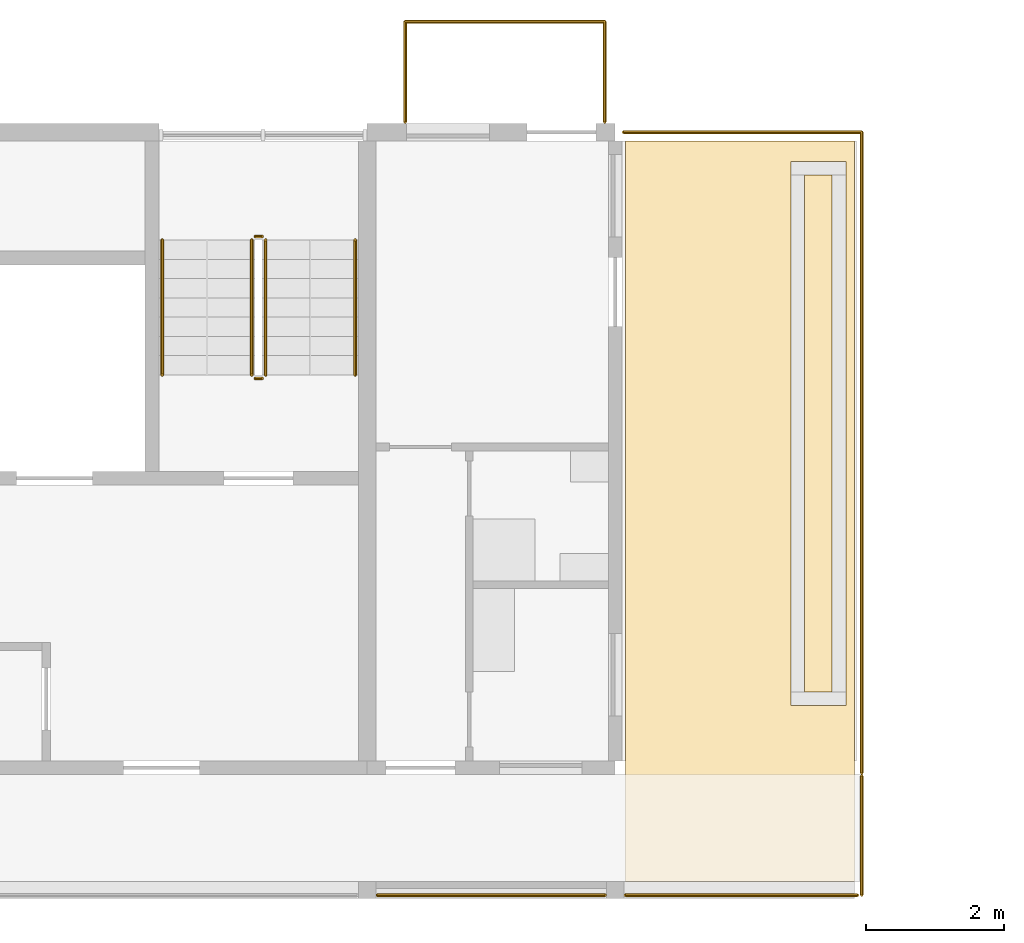
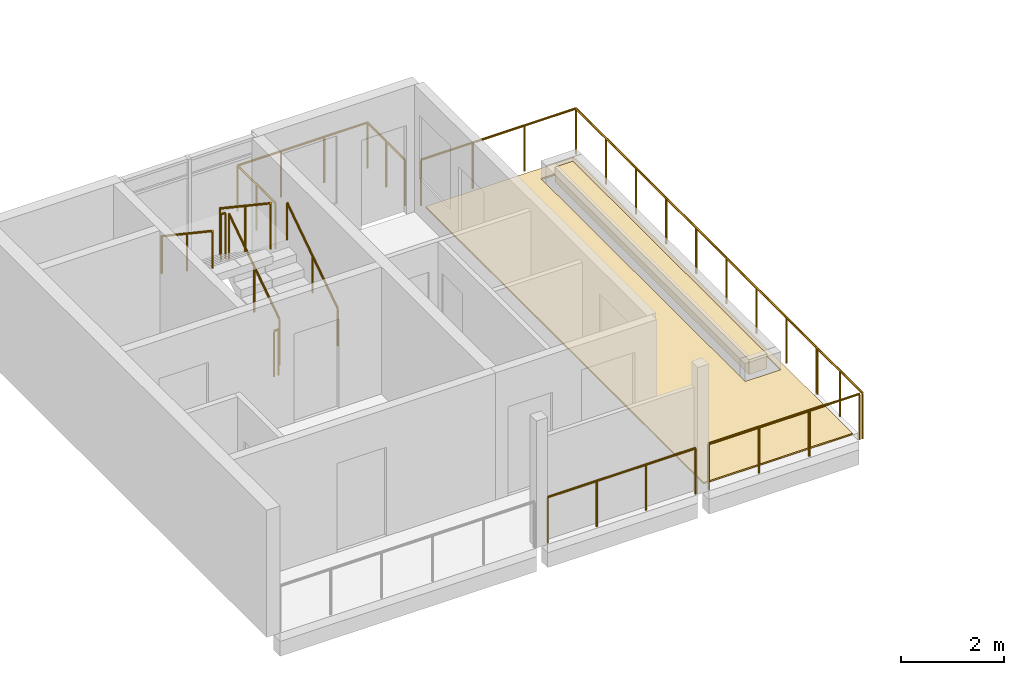
# One storey, part 30 of 33: 11 railings, 3 coverings.
"""IFC4 building model written with IfcOpenShell, lengths in metres."""

from ifc_helpers import new_model, si_unit, direction, frame, origin, origin_2d, place, context, subcontext, project, spatial, polyline, circle, outline, extrude, material, layer, layer_set, type_object, element, save


model = new_model("IFC4")

# Units and contexts
model_context = context("Model", 3, precision=1e-05, world=origin(), true_north=direction((0.0, 1.0)))
body_context = subcontext(model_context, "Body", "Model", "MODEL_VIEW")
ifc_project = project(units=[si_unit("LENGTHUNIT", "METRE"), si_unit("AREAUNIT", "SQUARE_METRE"), si_unit("VOLUMEUNIT", "CUBIC_METRE"), si_unit("PLANEANGLEUNIT", "RADIAN"), si_unit("MASSUNIT", "GRAM", prefix="KILO")], contexts=[model_context])

# Site, building, storey
site_placement = place(None, origin())
site = spatial("IfcSite", under=ifc_project, at=site_placement, CompositionType="ELEMENT")
building_placement = place(site_placement, origin())
building = spatial("IfcBuilding", under=site, at=building_placement, Name="Ridgestep Commons", CompositionType="ELEMENT")
storey_placement = place(building_placement, frame((0.0, 0.0, 42.0)))
storey = spatial("IfcBuildingStorey", under=building, at=storey_placement, Name="L14", CompositionType="ELEMENT", Elevation=42.0)

# Railings
ifc_material_1 = material(Name="Structural steel S355JR", Category="steel")
railing_type_1 = type_object("IfcRailingType", Name="Guard 1100", PredefinedType="GUARDRAIL", material=ifc_material_1)
railing_1_placement = place(storey_placement, frame((58.779052734375, 13.571044921875, 0.0)))
element("IfcRailing", 1, at=railing_1_placement, inside=storey, type_object=railing_type_1, Name="Guard TD-A3R2-GD", PredefinedType="GUARDRAIL", context=body_context, shape_type="SweptSolid", body=[
    extrude(circle(Radius=0.02392578125, at=origin_2d()), frame((0.0, 0.0, 1.076171875), z_axis=(0.0, 1.0, 0.0), x_axis=(-1.0, 0.0, 0.0)), (0.0, 0.0, 1.0), 9.303955078125),
    extrude(circle(Radius=0.02392578125, at=origin_2d()), frame((0.0, 9.303955078125, 1.076171875), z_axis=(-1.0, 0.0, 0.0), x_axis=(0.0, -1.0, 0.0)), (0.0, 0.0, 1.0), 3.4580078125),
    extrude(circle(Radius=0.02099609375, at=origin_2d()), origin(), (0.0, 0.0, 1.0), 1.052001953125),
    extrude(circle(Radius=0.02099609375, at=origin_2d()), frame((0.0, 1.1630859375, 0.0)), (0.0, 0.0, 1.0), 1.052001953125),
    extrude(circle(Radius=0.02099609375, at=origin_2d()), frame((0.0, 2.325927734375, 0.0)), (0.0, 0.0, 1.0), 1.052001953125),
    extrude(circle(Radius=0.02099609375, at=origin_2d()), frame((0.0, 3.489013671875, 0.0)), (0.0, 0.0, 1.0), 1.052001953125),
    extrude(circle(Radius=0.02099609375, at=origin_2d()), frame((0.0, 4.65185546875, 0.0)), (0.0, 0.0, 1.0), 1.052001953125),
    extrude(circle(Radius=0.02099609375, at=origin_2d()), frame((0.0, 5.81494140625, 0.0)), (0.0, 0.0, 1.0), 1.052001953125),
    extrude(circle(Radius=0.02099609375, at=origin_2d()), frame((0.0, 6.97802734375, 0.0)), (0.0, 0.0, 1.0), 1.052001953125),
    extrude(circle(Radius=0.02099609375, at=origin_2d()), frame((0.0, 8.140869140625, 0.0)), (0.0, 0.0, 1.0), 1.052001953125),
    extrude(circle(Radius=0.02099609375, at=origin_2d()), frame((0.0, 9.303955078125, 0.0)), (0.0, 0.0, 1.0), 1.052001953125),
    extrude(circle(Radius=0.02099609375, at=origin_2d()), frame((-1.152587890625, 9.303955078125, 0.0)), (0.0, 0.0, 1.0), 1.052001953125),
    extrude(circle(Radius=0.02099609375, at=origin_2d()), frame((-2.305419921875, 9.303955078125, 0.0)), (0.0, 0.0, 1.0), 1.052001953125),
    extrude(circle(Radius=0.02099609375, at=origin_2d()), frame((-3.4580078125, 9.303955078125, 0.0)), (0.0, 0.0, 1.0), 1.052001953125),
])
railing_2_placement = place(storey_placement, frame((51.74609375, 11.800048828125, 0.0)))
element("IfcRailing", 2, at=railing_2_placement, inside=storey, type_object=railing_type_1, Name="Gallery guard A 14.2", PredefinedType="GUARDRAIL", context=body_context, shape_type="SweptSolid", body=[
    extrude(circle(Radius=0.02392578125, at=origin_2d()), frame((0.0, 0.0, 1.076171875), z_axis=(1.0, 0.0, 0.0), x_axis=(0.0, 1.0, 0.0)), (0.0, 0.0, 1.0), 3.307861328125),
    extrude(circle(Radius=0.02099609375, at=origin_2d()), origin(), (0.0, 0.0, 1.0), 1.052001953125),
    extrude(circle(Radius=0.02099609375, at=origin_2d()), frame((1.1025390625, 0.0, 0.0)), (0.0, 0.0, 1.0), 1.052001953125),
    extrude(circle(Radius=0.02099609375, at=origin_2d()), frame((2.205322265625, 0.0, 0.0)), (0.0, 0.0, 1.0), 1.052001953125),
    extrude(circle(Radius=0.02099609375, at=origin_2d()), frame((3.307861328125, 0.0, 0.0)), (0.0, 0.0, 1.0), 1.052001953125),
])
railing_3_placement = place(storey_placement, frame((55.345947265625, 11.800048828125, 0.0)))
element("IfcRailing", 3, at=railing_3_placement, inside=storey, type_object=railing_type_1, Name="Gallery guard A 14.3", PredefinedType="GUARDRAIL", context=body_context, shape_type="SweptSolid", body=[
    extrude(circle(Radius=0.02392578125, at=origin_2d()), frame((0.0, 0.0, 1.076171875), z_axis=(1.0, 0.0, 0.0), x_axis=(0.0, 1.0, 0.0)), (0.0, 0.0, 1.0), 3.3701171875),
    extrude(circle(Radius=0.02099609375, at=origin_2d()), origin(), (0.0, 0.0, 1.0), 1.052001953125),
    extrude(circle(Radius=0.02099609375, at=origin_2d()), frame((1.123291015625, 0.0, 0.0)), (0.0, 0.0, 1.0), 1.052001953125),
    extrude(circle(Radius=0.02099609375, at=origin_2d()), frame((2.246826171875, 0.0, 0.0)), (0.0, 0.0, 1.0), 1.052001953125),
    extrude(circle(Radius=0.02099609375, at=origin_2d()), frame((3.3701171875, 0.0, 0.0)), (0.0, 0.0, 1.0), 1.052001953125),
])
railing_4_placement = place(storey_placement, frame((58.779052734375, 11.800048828125, 0.0)))
element("IfcRailing", 4, at=railing_4_placement, inside=storey, type_object=railing_type_1, Name="Gallery end guard A 14.3E", PredefinedType="GUARDRAIL", context=body_context, shape_type="SweptSolid", body=[
    extrude(circle(Radius=0.02392578125, at=origin_2d()), frame((0.0, 0.0, 1.076171875), z_axis=(0.0, 1.0, 0.0), x_axis=(-1.0, 0.0, 0.0)), (0.0, 0.0, 1.0), 1.72900390625),
    extrude(circle(Radius=0.02099609375, at=origin_2d()), origin(), (0.0, 0.0, 1.0), 1.052001953125),
    extrude(circle(Radius=0.02099609375, at=origin_2d()), frame((0.0, 0.864501953125, 0.0)), (0.0, 0.0, 1.0), 1.052001953125),
    extrude(circle(Radius=0.02099609375, at=origin_2d()), frame((0.0, 1.72900390625, 0.0)), (0.0, 0.0, 1.0), 1.052001953125),
])

# Covering
ifc_material_2 = material(Name="Planting soil")
ifc_layer_1 = layer(ifc_material_2, 0.35009765625)
ifc_layer_set_1 = layer_set([ifc_layer_1], Name="Planting soil 350")
covering_type_1 = type_object("IfcCoveringType", Name="Planting soil 350", PredefinedType="FLOORING", material=ifc_layer_set_1)
covering_1_placement = place(storey_placement, frame((0.0, 0.0, 0.010009765625)))
element("IfcCovering", 5, at=covering_1_placement, inside=storey, type_object=covering_type_1, Name="Planting soil A3R2", PredefinedType="FLOORING", context=body_context, shape_type="SweptSolid", body=[
    extrude(outline(polyline([(57.949951171875, 14.75), (58.35009765625, 14.75), (58.35009765625, 22.25), (57.949951171875, 22.25), (57.949951171875, 14.75)])), origin(), (0.0, 0.0, 1.0), 0.35009765625),
])

# Railings
ifc_material_3 = material(Name="Structural steel S355JR", Category="steel")
railing_type_2 = type_object("IfcRailingType", Name="Stair guard 1100", PredefinedType="GUARDRAIL", material=ifc_material_3)
railing_5_placement = place(storey_placement, frame((50.125, 19.35009765625, 0.1875)))
element("IfcRailing", 6, at=railing_5_placement, inside=storey, type_object=railing_type_2, Name="L14 A3C stair guard 1", PredefinedType="GUARDRAIL", context=body_context, shape_type="SweptSolid", body=[
    extrude(circle(Radius=0.02392578125, at=origin_2d()), frame((0.0, 0.0, 1.076171875), z_axis=(0.0, 0.830902050051, 0.556418712142), x_axis=(-1.0, 0.0, 0.0)), (0.0, 0.0, 1.0), 2.35888671875),
    extrude(circle(Radius=0.02099609375, at=origin_2d()), origin(), (0.0, 0.0, 1.0), 1.052001953125),
    extrude(circle(Radius=0.02099609375, at=origin_2d()), frame((0.0, 0.97998046875, 0.65625)), (0.0, 0.0, 1.0), 1.052001953125),
    extrude(circle(Radius=0.02099609375, at=origin_2d()), frame((0.0, 1.9599609375, 1.3125)), (0.0, 0.0, 1.0), 1.052001953125),
])
railing_6_placement = place(storey_placement, frame((50.074951171875, 21.360107421875, 1.5)))
element("IfcRailing", 7, at=railing_6_placement, inside=storey, type_object=railing_type_2, Name="L14 A3C stair guard 2", PredefinedType="GUARDRAIL", context=body_context, shape_type="SweptSolid", body=[
    extrude(circle(Radius=0.02392578125, at=origin_2d()), frame((0.0, 0.0, 1.076171875), z_axis=(-1.0, 0.0, 0.0), x_axis=(0.0, -1.0, 0.0)), (0.0, 0.0, 1.0), 0.099853515625),
    extrude(circle(Radius=0.02099609375, at=origin_2d()), origin(), (0.0, 0.0, 1.0), 1.052001953125),
    extrude(circle(Radius=0.02099609375, at=origin_2d()), frame((-0.099853515625, 0.0, 0.0)), (0.0, 0.0, 1.0), 1.052001953125),
])
railing_7_placement = place(storey_placement, frame((49.925048828125, 21.31005859375, 1.6875)))
element("IfcRailing", 8, at=railing_7_placement, inside=storey, type_object=railing_type_2, Name="L14 A3C stair guard 3", PredefinedType="GUARDRAIL", context=body_context, shape_type="SweptSolid", body=[
    extrude(circle(Radius=0.02392578125, at=origin_2d()), frame((0.0, 0.0, 1.076171875), z_axis=(0.0, -0.830902050051, 0.556418712142), x_axis=(1.0, 0.0, 0.0)), (0.0, 0.0, 1.0), 2.35888671875),
    extrude(circle(Radius=0.02099609375, at=origin_2d()), origin(), (0.0, 0.0, 1.0), 1.052001953125),
    extrude(circle(Radius=0.02099609375, at=origin_2d()), frame((0.0, -0.97998046875, 0.65625)), (0.0, 0.0, 1.0), 1.052001953125),
    extrude(circle(Radius=0.02099609375, at=origin_2d()), frame((0.0, -1.9599609375, 1.3125)), (0.0, 0.0, 1.0), 1.052001953125),
])
railing_8_placement = place(storey_placement, frame((50.074951171875, 19.300048828125, 0.0)))
element("IfcRailing", 9, at=railing_8_placement, inside=storey, type_object=railing_type_2, Name="L14 A3C stair guard 4", PredefinedType="GUARDRAIL", context=body_context, shape_type="SweptSolid", body=[
    extrude(circle(Radius=0.02392578125, at=origin_2d()), frame((0.0, 0.0, 1.076171875), z_axis=(-1.0, 0.0, 0.0), x_axis=(0.0, -1.0, 0.0)), (0.0, 0.0, 1.0), 0.099853515625),
    extrude(circle(Radius=0.02099609375, at=origin_2d()), origin(), (0.0, 0.0, 1.0), 1.052001953125),
    extrude(circle(Radius=0.02099609375, at=origin_2d()), frame((-0.099853515625, 0.0, 0.0)), (0.0, 0.0, 1.0), 1.052001953125),
])
ifc_material_4 = material(Name="Structural steel S355JR", Category="steel")
railing_type_3 = type_object("IfcRailingType", Name="Stair handrail 900", PredefinedType="HANDRAIL", material=ifc_material_4)
railing_9_placement = place(storey_placement, frame((51.425048828125, 19.35009765625, 0.1875)))
element("IfcRailing", 10, at=railing_9_placement, inside=storey, type_object=railing_type_3, Name="L14 A3C stair handrail 1", PredefinedType="HANDRAIL", context=body_context, shape_type="SweptSolid", body=[
    extrude(circle(Radius=0.02392578125, at=origin_2d()), frame((0.0, 0.0, 0.8759765625), z_axis=(0.0, 0.830902050051, 0.556418712142), x_axis=(-1.0, 0.0, 0.0)), (0.0, 0.0, 1.0), 2.35888671875),
    extrude(circle(Radius=0.02099609375, at=origin_2d()), origin(), (0.0, 0.0, 1.0), 0.851806640625),
    extrude(circle(Radius=0.02099609375, at=origin_2d()), frame((0.0, 0.97998046875, 0.65625)), (0.0, 0.0, 1.0), 0.851806640625),
    extrude(circle(Radius=0.02099609375, at=origin_2d()), frame((0.0, 1.9599609375, 1.3125)), (0.0, 0.0, 1.0), 0.851806640625),
])
railing_10_placement = place(storey_placement, frame((48.625, 21.31005859375, 1.6875)))
element("IfcRailing", 11, at=railing_10_placement, inside=storey, type_object=railing_type_3, Name="L14 A3C stair handrail 2", PredefinedType="HANDRAIL", context=body_context, shape_type="SweptSolid", body=[
    extrude(circle(Radius=0.02392578125, at=origin_2d()), frame((0.0, 0.0, 0.8759765625), z_axis=(0.0, -0.830902050051, 0.556418712142), x_axis=(1.0, 0.0, 0.0)), (0.0, 0.0, 1.0), 2.35888671875),
    extrude(circle(Radius=0.02099609375, at=origin_2d()), origin(), (0.0, 0.0, 1.0), 0.851806640625),
    extrude(circle(Radius=0.02099609375, at=origin_2d()), frame((0.0, -0.97998046875, 0.65625)), (0.0, 0.0, 1.0), 0.851806640625),
    extrude(circle(Radius=0.02099609375, at=origin_2d()), frame((0.0, -1.9599609375, 1.3125)), (0.0, 0.0, 1.0), 0.851806640625),
])

# Coverings
ifc_material_5 = material(Name="Bitumen membrane, two layer")
ifc_layer_2 = layer(ifc_material_5, 0.010009765625)
ifc_layer_set_2 = layer_set([ifc_layer_2], Name="Terrace membrane 10")
covering_type_2 = type_object("IfcCoveringType", Name="Terrace membrane 10", PredefinedType="ROOFING", material=ifc_layer_set_2)
covering_2_placement = place(storey_placement, origin())
element("IfcCovering", 12, at=covering_2_placement, inside=storey, type_object=covering_type_2, Name="Terrace membrane A3R2", PredefinedType="ROOFING", context=body_context, shape_type="SweptSolid", body=[
    extrude(outline(polyline([(58.675048828125, 12.0), (58.675048828125, 22.75), (55.35009765625, 22.75), (55.35009765625, 12.0), (58.675048828125, 12.0)]), holes=[polyline([(58.550048828125, 14.550048828125), (58.550048828125, 22.449951171875), (57.75, 22.449951171875), (57.75, 14.550048828125), (58.550048828125, 14.550048828125)])]), origin(), (0.0, 0.0, 1.0), 0.010009765625),
])
ifc_material_6 = material(Name="Concrete paving slab", Category="concrete")
ifc_layer_3 = layer(ifc_material_6, 0.030029296875)
ifc_layer_set_3 = layer_set([ifc_layer_3], Name="Terrace paving 30")
covering_type_3 = type_object("IfcCoveringType", Name="Terrace paving 30", PredefinedType="FLOORING", material=ifc_layer_set_3)
covering_3_placement = place(storey_placement, frame((0.0, 0.0, 0.010009765625)))
element("IfcCovering", 13, at=covering_3_placement, inside=storey, type_object=covering_type_3, Name="Terrace paving A3R2", PredefinedType="FLOORING", context=body_context, shape_type="SweptSolid", body=[
    extrude(outline(polyline([(58.675048828125, 12.0), (58.675048828125, 22.75), (55.35009765625, 22.75), (55.35009765625, 12.0), (58.675048828125, 12.0)]), holes=[polyline([(58.550048828125, 14.550048828125), (58.550048828125, 22.449951171875), (57.75, 22.449951171875), (57.75, 14.550048828125), (58.550048828125, 14.550048828125)])]), origin(), (0.0, 0.0, 1.0), 0.030029296875),
])

# Railing
ifc_material_7 = material(Name="Weathering steel S355J2W", Category="steel")
railing_type_4 = type_object("IfcRailingType", Name="Tray guard 1100", PredefinedType="GUARDRAIL", material=ifc_material_7)
railing_11_placement = place(storey_placement, frame((52.15087890625, 23.02099609375, 0.0)))
element("IfcRailing", 14, at=railing_11_placement, inside=storey, type_object=railing_type_4, Name="Tray guard A3T3-14", PredefinedType="GUARDRAIL", context=body_context, shape_type="SweptSolid", body=[
    extrude(circle(Radius=0.02392578125, at=origin_2d()), frame((0.0, 0.0, 1.076171875), z_axis=(0.0, 1.0, 0.0), x_axis=(-1.0, 0.0, 0.0)), (0.0, 0.0, 1.0), 1.4580078125),
    extrude(circle(Radius=0.02392578125, at=origin_2d()), frame((0.0, 1.4580078125, 1.076171875), z_axis=(1.0, 0.0, 0.0), x_axis=(0.0, 1.0, 0.0)), (0.0, 0.0, 1.0), 2.898193359375),
    extrude(circle(Radius=0.02392578125, at=origin_2d()), frame((2.898193359375, 1.4580078125, 1.076171875), z_axis=(0.0, -1.0, 0.0), x_axis=(1.0, 0.0, 0.0)), (0.0, 0.0, 1.0), 1.4580078125),
    extrude(circle(Radius=0.02099609375, at=origin_2d()), origin(), (0.0, 0.0, 1.0), 1.052001953125),
    extrude(circle(Radius=0.02099609375, at=origin_2d()), frame((0.0, 0.72900390625, 0.0)), (0.0, 0.0, 1.0), 1.052001953125),
    extrude(circle(Radius=0.02099609375, at=origin_2d()), frame((0.0, 1.4580078125, 0.0)), (0.0, 0.0, 1.0), 1.052001953125),
    extrude(circle(Radius=0.02099609375, at=origin_2d()), frame((0.966064453125, 1.4580078125, 0.0)), (0.0, 0.0, 1.0), 1.052001953125),
    extrude(circle(Radius=0.02099609375, at=origin_2d()), frame((1.93212890625, 1.4580078125, 0.0)), (0.0, 0.0, 1.0), 1.052001953125),
    extrude(circle(Radius=0.02099609375, at=origin_2d()), frame((2.898193359375, 1.4580078125, 0.0)), (0.0, 0.0, 1.0), 1.052001953125),
    extrude(circle(Radius=0.02099609375, at=origin_2d()), frame((2.898193359375, 0.72900390625, 0.0)), (0.0, 0.0, 1.0), 1.052001953125),
    extrude(circle(Radius=0.02099609375, at=origin_2d()), frame((2.898193359375, 0.0, 0.0)), (0.0, 0.0, 1.0), 1.052001953125),
])

save(model, "model.ifc")
